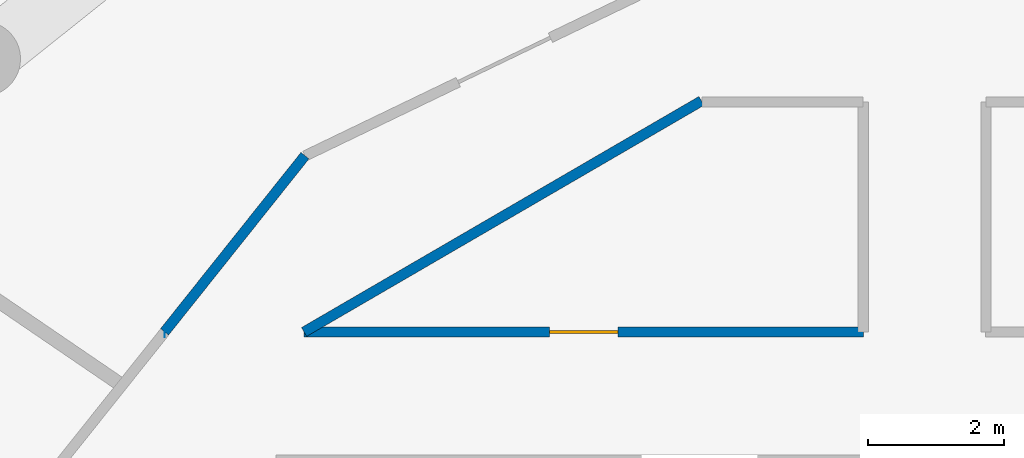
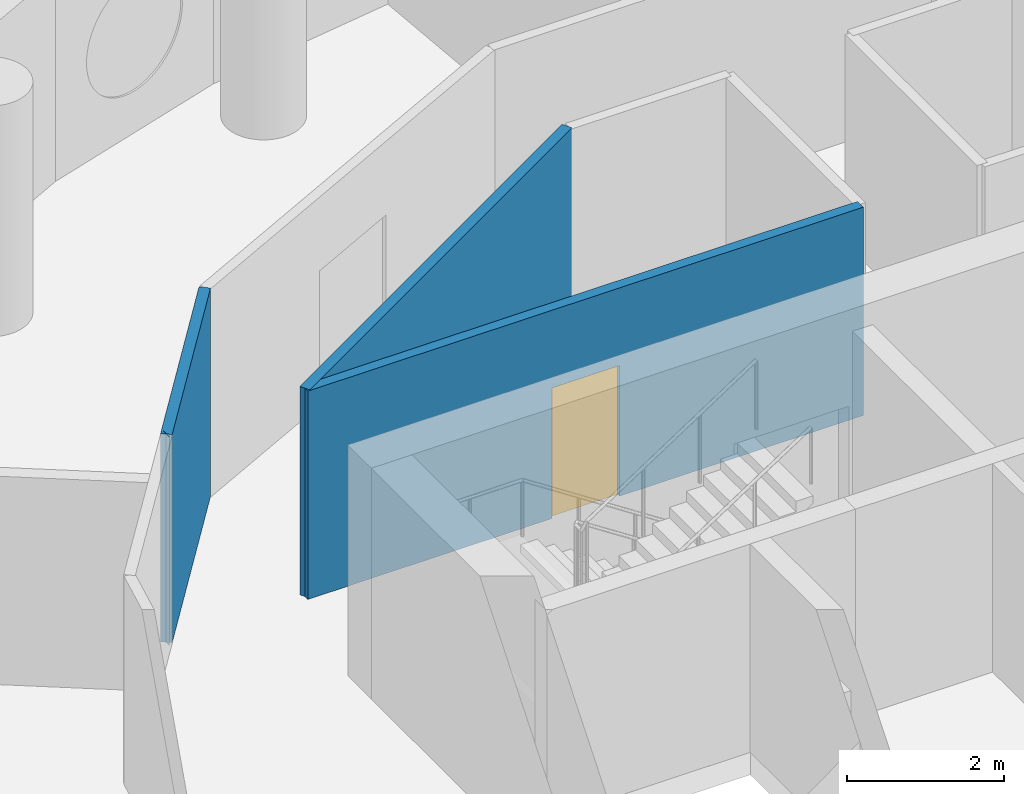
# One storey, part 7 of 13: 4 walls, 1 door, 1 opening.
"""IFC4 building model written with IfcOpenShell, lengths in metres."""

from ifc_helpers import new_model, si_unit, direction, frame, frame_2d, origin, place, context, subcontext, project, spatial, rectangle, extrude, material, layer, layer_set, type_object, element, fill, save


model = new_model("IFC4")

# Units and contexts
model_context = context("Model", 3, precision=1e-05, world=origin(), true_north=direction((0.0, 1.0)))
body_context = subcontext(model_context, "Body", "Model", "MODEL_VIEW")
ifc_project = project(units=[si_unit("LENGTHUNIT", "METRE"), si_unit("AREAUNIT", "SQUARE_METRE"), si_unit("VOLUMEUNIT", "CUBIC_METRE"), si_unit("PLANEANGLEUNIT", "RADIAN"), si_unit("MASSUNIT", "GRAM", prefix="KILO")], contexts=[model_context])

# Site, building, storey
site_placement = place(None, origin())
site = spatial("IfcSite", under=ifc_project, at=site_placement, CompositionType="ELEMENT")
building_placement = place(site_placement, origin())
building = spatial("IfcBuilding", under=site, at=building_placement, Name="Tracery Tower", CompositionType="ELEMENT")
storey_placement = place(building_placement, frame((0.0, 0.0, 256.199951171875)))
storey = spatial("IfcBuildingStorey", under=building, at=storey_placement, Name="L66", CompositionType="ELEMENT", Elevation=256.199951171875)

# Wall
ifc_material_1 = material(Name="Plasterboard on steel studs", Category="steel")
ifc_layer = layer(ifc_material_1, 0.14990234375)
ifc_layer_set = layer_set([ifc_layer], Name="Partition 150 corridor wall")
wall_type = type_object("IfcWallType", Name="Partition 150 corridor wall", PredefinedType="PARTITIONING", material=ifc_layer_set)
wall_1_placement = place(storey_placement, frame((-9.092041015625, 8.800048828125, 0.0), z_axis=(0.0, 0.0, 1.0), x_axis=(0.864470922103, 0.502682827277, 0.0)))
element("IfcWall", 1, at=wall_1_placement, inside=storey, type_object=wall_type, Name="Corridor wall RC3-001", PredefinedType="PARTITIONING", context=body_context, shape_type="SweptSolid", body=[
    extrude(rectangle(XDim=6.7353515625, YDim=0.14990234375, at=frame_2d((3.36767578125, 0.0))), origin(), (0.0, 0.0, 1.0), 3.25),
])

# Wall, opening, door
wall_2_placement = place(storey_placement, frame((-9.092041015625, 8.800048828125, 0.0), z_axis=(0.0, 0.0, 1.0), x_axis=(1.0, 0.0, 0.0)))
wall_2 = element("IfcWall", 2, at=wall_2_placement, inside=storey, type_object=wall_type, Name="Corridor wall RC3-002", PredefinedType="PARTITIONING", context=body_context, shape_type="SweptSolid", body=[
    extrude(rectangle(XDim=8.196044921875, YDim=0.14990234375, at=frame_2d((4.09814453125, 0.0))), origin(), (0.0, 0.0, 1.0), 3.25),
])
opening_placement = place(wall_2_placement, frame((3.597900390625, 0.0, 0.0)))
opening = element("IfcOpeningElement", 3, at=opening_placement, cuts=wall_2, Name="Opening RC3-01", PredefinedType="OPENING", context=body_context, shape_type="SweptSolid", body=[
    extrude(rectangle(XDim=1.0, YDim=2.0400390625, at=frame_2d((0.5, 1.02001953125))), frame((0.0, 0.074951171875, 0.0), z_axis=(0.0, -1.0, 0.0), x_axis=(1.0, 0.0, 0.0)), (0.0, 0.0, 1.0), 0.14990234375),
])
ifc_material_2 = material(Name="Timber door leaf", Category="wood")
door_type = type_object("IfcDoorType", Name="Door communal room 1000", OperationType="NOTDEFINED", PredefinedType="DOOR", material=ifc_material_2)
door_placement = place(opening_placement, origin())
door = element("IfcDoor", 4, at=door_placement, inside=storey, type_object=door_type, Name="Communal room door RC3-01", OperationType="SINGLE_SWING_RIGHT", OverallHeight=2.0400390625, OverallWidth=1.0, PredefinedType="DOOR", context=body_context, shape_type="SweptSolid", body=[
    extrude(rectangle(XDim=1.0, YDim=2.0400390625, at=frame_2d((0.5, 1.02001953125))), frame((0.0, 0.02490234375, 0.0), z_axis=(0.0, -1.0, 0.0), x_axis=(1.0, 0.0, 0.0)), (0.0, 0.0, 1.0), 0.050048828125),
])
fill(opening, door)

# Walls
wall_3_placement = place(storey_placement, frame((-11.134033203125, 8.800048828125, 0.0), z_axis=(0.0, 0.0, 1.0), x_axis=(-1.0, 0.0, 0.0)))
element("IfcWall", 5, at=wall_3_placement, inside=storey, type_object=wall_type, Name="Corridor wall RC3-009", PredefinedType="PARTITIONING", context=body_context, shape_type="SweptSolid", body=[
    extrude(rectangle(XDim=0.0029296875, YDim=0.14990234375, at=frame_2d((0.00146484375, 0.0))), origin(), (0.0, 0.0, 1.0), 3.25),
])
wall_4_placement = place(storey_placement, frame((-11.135986328125, 8.802001953125, 0.0), z_axis=(0.0, 0.0, 1.0), x_axis=(0.623151397235, 0.782101231379, 0.0)))
element("IfcWall", 6, at=wall_4_placement, inside=storey, type_object=wall_type, Name="Corridor wall RC3-010", PredefinedType="PARTITIONING", context=body_context, shape_type="SweptSolid", body=[
    extrude(rectangle(XDim=3.30078125, YDim=0.14990234375, at=frame_2d((1.650390625, 0.0))), origin(), (0.0, 0.0, 1.0), 3.25),
])

save(model, "model.ifc")
